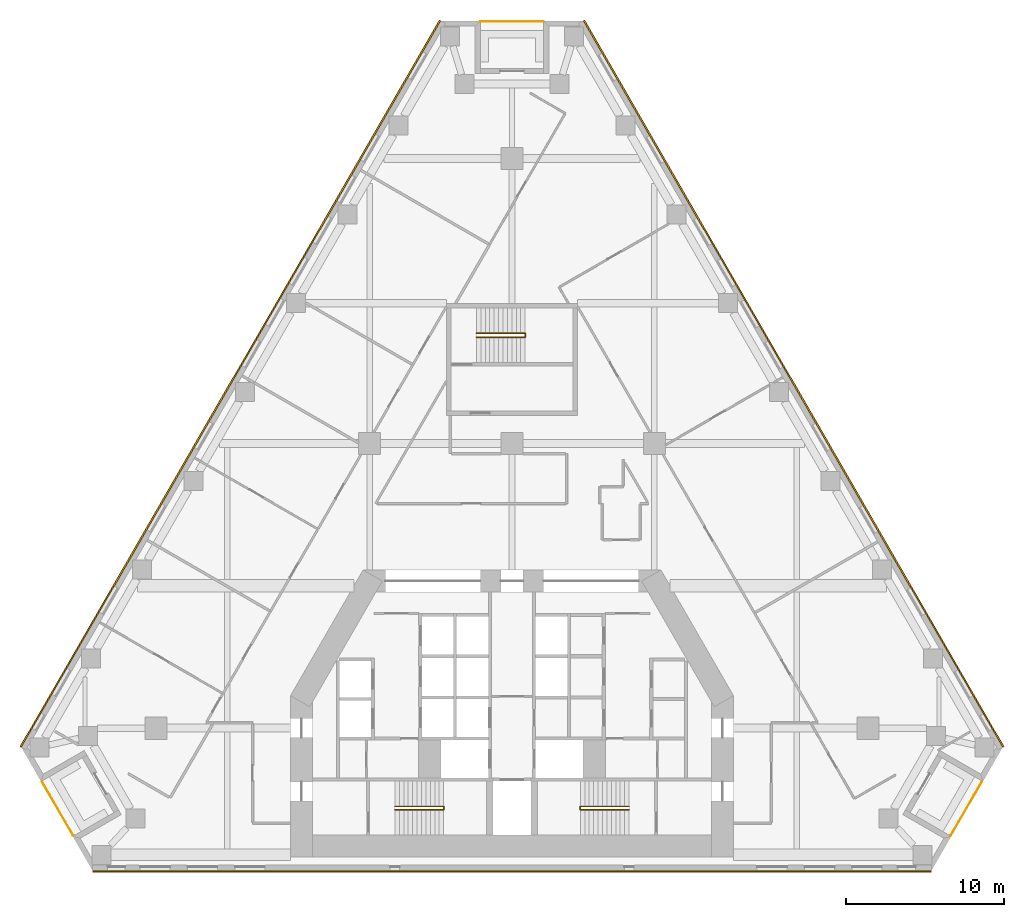
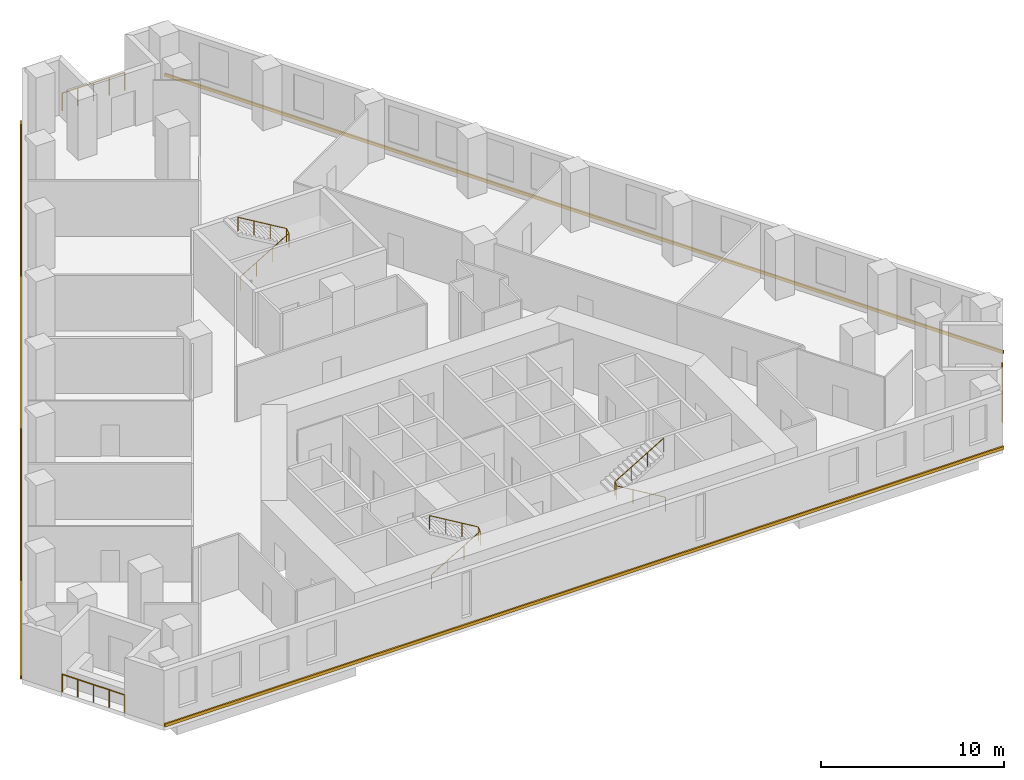
# One storey, part 9 of 9: 6 railings, 3 coverings.
"""IFC4 building model written with IfcOpenShell, lengths in metres."""

from ifc_helpers import new_model, si_unit, direction, frame, origin, origin_2d, place, context, subcontext, project, spatial, polyline, circle, outline, extrude, material, type_object, element, save


model = new_model("IFC4")

# Units and contexts
model_context = context("Model", 3, precision=1e-05, world=origin(), true_north=direction((0.0, 1.0)))
body_context = subcontext(model_context, "Body", "Model", "MODEL_VIEW")
ifc_project = project(units=[si_unit("LENGTHUNIT", "METRE"), si_unit("AREAUNIT", "SQUARE_METRE"), si_unit("VOLUMEUNIT", "CUBIC_METRE"), si_unit("PLANEANGLEUNIT", "RADIAN"), si_unit("MASSUNIT", "GRAM", prefix="KILO")], contexts=[model_context])

# Site, building, storey
site_placement = place(None, origin())
site = spatial("IfcSite", under=ifc_project, at=site_placement, CompositionType="ELEMENT")
building_placement = place(site_placement, origin())
building = spatial("IfcBuilding", under=site, at=building_placement, Name="Fogline Exchange Tower", CompositionType="ELEMENT")
storey_placement = place(building_placement, frame((0.0, 0.0, 76.89990234375)))
storey = spatial("IfcBuildingStorey", under=building, at=storey_placement, Name="L16", CompositionType="ELEMENT", Elevation=76.89990234375)

# Railings
ifc_material_1 = material(Name="Stainless steel 304", Category="steel")
railing_type_1 = type_object("IfcRailingType", Name="G1", PredefinedType="GUARDRAIL", material=ifc_material_1)
railing_1_placement = place(storey_placement, frame((-29.70654296875, 5.635986328125, 0.0)))
element("IfcRailing", 1, at=railing_1_placement, inside=storey, type_object=railing_type_1, Name="Balcony guard L16 SW", PredefinedType="GUARDRAIL", context=body_context, shape_type="SweptSolid", body=[
    extrude(circle(Radius=0.02392578125, at=origin_2d()), frame((0.0, 0.0, 1.17578125), z_axis=(0.500000102728, -0.866025344474, 0.0), x_axis=(0.866025344474, 0.500000102728, 0.0)), (0.0, 0.0, 1.0), 3.9580078125),
    extrude(circle(Radius=0.02099609375, at=origin_2d()), origin(), (0.0, 0.0, 1.0), 1.15185546875),
    extrude(circle(Radius=0.02099609375, at=origin_2d()), frame((0.49462890625, -0.85693359375, 0.0)), (0.0, 0.0, 1.0), 1.15185546875),
    extrude(circle(Radius=0.02099609375, at=origin_2d()), frame((0.989501953125, -1.7138671875, 0.0)), (0.0, 0.0, 1.0), 1.15185546875),
    extrude(circle(Radius=0.02099609375, at=origin_2d()), frame((1.484375, -2.57080078125, 0.0)), (0.0, 0.0, 1.0), 1.15185546875),
    extrude(circle(Radius=0.02099609375, at=origin_2d()), frame((1.97900390625, -3.427734375, 0.0)), (0.0, 0.0, 1.0), 1.15185546875),
])
railing_2_placement = place(storey_placement, frame((27.7275390625, 2.208251953125, 0.0)))
element("IfcRailing", 2, at=railing_2_placement, inside=storey, type_object=railing_type_1, Name="Balcony guard L16 SE", PredefinedType="GUARDRAIL", context=body_context, shape_type="SweptSolid", body=[
    extrude(circle(Radius=0.02392578125, at=origin_2d()), frame((0.0, 0.0, 1.17578125), z_axis=(0.500000102728, 0.866025344474, 0.0), x_axis=(-0.866025344474, 0.500000102728, 0.0)), (0.0, 0.0, 1.0), 3.9580078125),
    extrude(circle(Radius=0.02099609375, at=origin_2d()), origin(), (0.0, 0.0, 1.0), 1.15185546875),
    extrude(circle(Radius=0.02099609375, at=origin_2d()), frame((0.49462890625, 0.85693359375, 0.0)), (0.0, 0.0, 1.0), 1.15185546875),
    extrude(circle(Radius=0.02099609375, at=origin_2d()), frame((0.989501953125, 1.7138671875, 0.0)), (0.0, 0.0, 1.0), 1.15185546875),
    extrude(circle(Radius=0.02099609375, at=origin_2d()), frame((1.484375, 2.57080078125, 0.0)), (0.0, 0.0, 1.0), 1.15185546875),
    extrude(circle(Radius=0.02099609375, at=origin_2d()), frame((1.97900390625, 3.427734375, 0.0)), (0.0, 0.0, 1.0), 1.15185546875),
])
railing_3_placement = place(storey_placement, frame((1.97900390625, 53.66162109375, 0.0)))
element("IfcRailing", 3, at=railing_3_placement, inside=storey, type_object=railing_type_1, Name="Balcony guard L16 N", PredefinedType="GUARDRAIL", context=body_context, shape_type="SweptSolid", body=[
    extrude(circle(Radius=0.02392578125, at=origin_2d()), frame((0.0, 0.0, 1.17578125), z_axis=(-1.0, 0.0, 0.0), x_axis=(0.0, -1.0, 0.0)), (0.0, 0.0, 1.0), 3.9580078125),
    extrude(circle(Radius=0.02099609375, at=origin_2d()), origin(), (0.0, 0.0, 1.0), 1.15185546875),
    extrude(circle(Radius=0.02099609375, at=origin_2d()), frame((-0.989501953125, 0.0, 0.0)), (0.0, 0.0, 1.0), 1.15185546875),
    extrude(circle(Radius=0.02099609375, at=origin_2d()), frame((-1.97900390625, 0.0, 0.0)), (0.0, 0.0, 1.0), 1.15185546875),
    extrude(circle(Radius=0.02099609375, at=origin_2d()), frame((-2.968505859375, 0.0, 0.0)), (0.0, 0.0, 1.0), 1.15185546875),
    extrude(circle(Radius=0.02099609375, at=origin_2d()), frame((-3.9580078125, 0.0, 0.0)), (0.0, 0.0, 1.0), 1.15185546875),
])
ifc_material_2 = material(Name="Steel Q235B", Category="steel")
railing_type_2 = type_object("IfcRailingType", Name="RL-HR", PredefinedType="HANDRAIL", material=ifc_material_2)
railing_4_placement = place(storey_placement, frame((-7.39990234375, 3.85009765625, 0.166748046875)))
element("IfcRailing", 4, at=railing_4_placement, inside=storey, type_object=railing_type_2, Name="Handrail ST1", PredefinedType="HANDRAIL", context=body_context, shape_type="SweptSolid", body=[
    extrude(circle(Radius=0.02392578125, at=origin_2d()), frame((0.0, 0.0, 0.92578125), z_axis=(0.859290745958, 0.0, 0.51148745235), x_axis=(0.0, 1.0, 0.0)), (0.0, 0.0, 1.0), 3.584228515625),
    extrude(circle(Radius=0.02392578125, at=origin_2d()), frame((3.079833984375, 0.0, 2.75927734375), z_axis=(0.0, 0.767990643491, 0.640461061666), x_axis=(-1.0, 0.0, 0.0)), (0.0, 0.0, 1.0), 0.26025390625),
    extrude(circle(Radius=0.02392578125, at=origin_2d()), frame((3.079833984375, 0.199951171875, 2.92578125), z_axis=(-0.859290745958, 0.0, 0.51148745235), x_axis=(0.0, -1.0, 0.0)), (0.0, 0.0, 1.0), 3.584228515625),
    extrude(circle(Radius=0.02099609375, at=origin_2d()), origin(), (0.0, 0.0, 1.0), 0.90185546875),
    extrude(circle(Radius=0.02099609375, at=origin_2d()), frame((1.026611328125, 0.0, 0.611083984375)), (0.0, 0.0, 1.0), 0.90185546875),
    extrude(circle(Radius=0.02099609375, at=origin_2d()), frame((2.05322265625, 0.0, 1.22216796875)), (0.0, 0.0, 1.0), 0.90185546875),
    extrude(circle(Radius=0.02099609375, at=origin_2d()), frame((3.079833984375, 0.0, 1.833251953125)), (0.0, 0.0, 1.0), 0.90185546875),
    extrude(circle(Radius=0.02099609375, at=origin_2d()), frame((3.079833984375, 0.199951171875, 2.0)), (0.0, 0.0, 1.0), 0.90185546875),
    extrude(circle(Radius=0.02099609375, at=origin_2d()), frame((2.05322265625, 0.199951171875, 2.611083984375)), (0.0, 0.0, 1.0), 0.90185546875),
    extrude(circle(Radius=0.02099609375, at=origin_2d()), frame((1.026611328125, 0.199951171875, 3.22216796875)), (0.0, 0.0, 1.0), 0.90185546875),
    extrude(circle(Radius=0.02099609375, at=origin_2d()), frame((0.0, 0.199951171875, 3.833251953125)), (0.0, 0.0, 1.0), 0.90185546875),
])
railing_5_placement = place(storey_placement, frame((7.39990234375, 3.85009765625, 0.166748046875)))
element("IfcRailing", 5, at=railing_5_placement, inside=storey, type_object=railing_type_2, Name="Handrail ST2", PredefinedType="HANDRAIL", context=body_context, shape_type="SweptSolid", body=[
    extrude(circle(Radius=0.02392578125, at=origin_2d()), frame((0.0, 0.0, 0.92578125), z_axis=(-0.859290745958, 0.0, 0.51148745235), x_axis=(0.0, -1.0, 0.0)), (0.0, 0.0, 1.0), 3.584228515625),
    extrude(circle(Radius=0.02392578125, at=origin_2d()), frame((-3.079833984375, 0.0, 2.75927734375), z_axis=(0.0, 0.767990643491, 0.640461061666), x_axis=(-1.0, 0.0, 0.0)), (0.0, 0.0, 1.0), 0.26025390625),
    extrude(circle(Radius=0.02392578125, at=origin_2d()), frame((-3.079833984375, 0.199951171875, 2.92578125), z_axis=(0.859290745958, 0.0, 0.51148745235), x_axis=(0.0, 1.0, 0.0)), (0.0, 0.0, 1.0), 3.584228515625),
    extrude(circle(Radius=0.02099609375, at=origin_2d()), origin(), (0.0, 0.0, 1.0), 0.90185546875),
    extrude(circle(Radius=0.02099609375, at=origin_2d()), frame((-1.026611328125, 0.0, 0.611083984375)), (0.0, 0.0, 1.0), 0.90185546875),
    extrude(circle(Radius=0.02099609375, at=origin_2d()), frame((-2.05322265625, 0.0, 1.22216796875)), (0.0, 0.0, 1.0), 0.90185546875),
    extrude(circle(Radius=0.02099609375, at=origin_2d()), frame((-3.079833984375, 0.0, 1.833251953125)), (0.0, 0.0, 1.0), 0.90185546875),
    extrude(circle(Radius=0.02099609375, at=origin_2d()), frame((-3.079833984375, 0.199951171875, 2.0)), (0.0, 0.0, 1.0), 0.90185546875),
    extrude(circle(Radius=0.02099609375, at=origin_2d()), frame((-2.05322265625, 0.199951171875, 2.611083984375)), (0.0, 0.0, 1.0), 0.90185546875),
    extrude(circle(Radius=0.02099609375, at=origin_2d()), frame((-1.026611328125, 0.199951171875, 3.22216796875)), (0.0, 0.0, 1.0), 0.90185546875),
    extrude(circle(Radius=0.02099609375, at=origin_2d()), frame((0.0, 0.199951171875, 3.833251953125)), (0.0, 0.0, 1.0), 0.90185546875),
])
railing_6_placement = place(storey_placement, frame((-2.25, 33.70703125, 0.166748046875)))
element("IfcRailing", 6, at=railing_6_placement, inside=storey, type_object=railing_type_2, Name="Handrail ST3", PredefinedType="HANDRAIL", context=body_context, shape_type="SweptSolid", body=[
    extrude(circle(Radius=0.02392578125, at=origin_2d()), frame((0.0, 0.0, 0.92578125), z_axis=(0.859308565015, 0.0, 0.511457515432), x_axis=(0.0, 1.0, 0.0)), (0.0, 0.0, 1.0), 3.58447265625),
    extrude(circle(Radius=0.02392578125, at=origin_2d()), frame((3.080078125, 0.0, 2.75927734375), z_axis=(0.0, 0.831925284441, 0.554887665306), x_axis=(-1.0, 0.0, 0.0)), (0.0, 0.0, 1.0), 0.300537109375),
    extrude(circle(Radius=0.02392578125, at=origin_2d()), frame((3.080078125, 0.25, 2.92578125), z_axis=(-0.859308565015, 0.0, 0.511457515432), x_axis=(0.0, -1.0, 0.0)), (0.0, 0.0, 1.0), 3.58447265625),
    extrude(circle(Radius=0.02099609375, at=origin_2d()), origin(), (0.0, 0.0, 1.0), 0.90185546875),
    extrude(circle(Radius=0.02099609375, at=origin_2d()), frame((1.026611328125, 0.0, 0.611083984375)), (0.0, 0.0, 1.0), 0.90185546875),
    extrude(circle(Radius=0.02099609375, at=origin_2d()), frame((2.053466796875, 0.0, 1.22216796875)), (0.0, 0.0, 1.0), 0.90185546875),
    extrude(circle(Radius=0.02099609375, at=origin_2d()), frame((3.080078125, 0.0, 1.833251953125)), (0.0, 0.0, 1.0), 0.90185546875),
    extrude(circle(Radius=0.02099609375, at=origin_2d()), frame((3.080078125, 0.25, 2.0)), (0.0, 0.0, 1.0), 0.90185546875),
    extrude(circle(Radius=0.02099609375, at=origin_2d()), frame((2.053466796875, 0.25, 2.611083984375)), (0.0, 0.0, 1.0), 0.90185546875),
    extrude(circle(Radius=0.02099609375, at=origin_2d()), frame((1.026611328125, 0.25, 3.22216796875)), (0.0, 0.0, 1.0), 0.90185546875),
    extrude(circle(Radius=0.02099609375, at=origin_2d()), frame((0.0, 0.25, 3.833251953125)), (0.0, 0.0, 1.0), 0.90185546875),
])

# Coverings
ifc_material_3 = material(Name="Brick masonry", Category="masonry")
covering_type = type_object("IfcCoveringType", Name="SB1", PredefinedType="CLADDING", material=ifc_material_3)
covering_1_placement = place(storey_placement, origin())
element("IfcCovering", 7, at=covering_1_placement, inside=storey, type_object=covering_type, Name="Stringcourse band L16 S", PredefinedType="CLADDING", context=body_context, shape_type="SweptSolid", body=[
    extrude(outline(polyline([(-26.510498046875, 0.0), (-26.510498046875, -0.10009765625), (26.510498046875, -0.10009765625), (26.510498046875, 0.0), (-26.510498046875, 0.0)])), origin(), (0.0, 0.0, 1.0), 0.2001953125),
])
covering_2_placement = place(storey_placement, origin())
element("IfcCovering", 8, at=covering_2_placement, inside=storey, type_object=covering_type, Name="Stringcourse band L16 E", PredefinedType="CLADDING", context=body_context, shape_type="SweptSolid", body=[
    extrude(outline(polyline([(31.010498046875, 7.794189453125), (31.096923828125, 7.84423828125), (4.586669921875, 53.76171875), (4.5, 53.711669921875), (31.010498046875, 7.794189453125)])), origin(), (0.0, 0.0, 1.0), 0.2001953125),
])
covering_3_placement = place(storey_placement, origin())
element("IfcCovering", 9, at=covering_3_placement, inside=storey, type_object=covering_type, Name="Stringcourse band L16 W", PredefinedType="CLADDING", context=body_context, shape_type="SweptSolid", body=[
    extrude(outline(polyline([(-4.5, 53.711669921875), (-4.586669921875, 53.76171875), (-31.096923828125, 7.84423828125), (-31.010498046875, 7.794189453125), (-4.5, 53.711669921875)])), origin(), (0.0, 0.0, 1.0), 0.2001953125),
])

save(model, "model.ifc")
